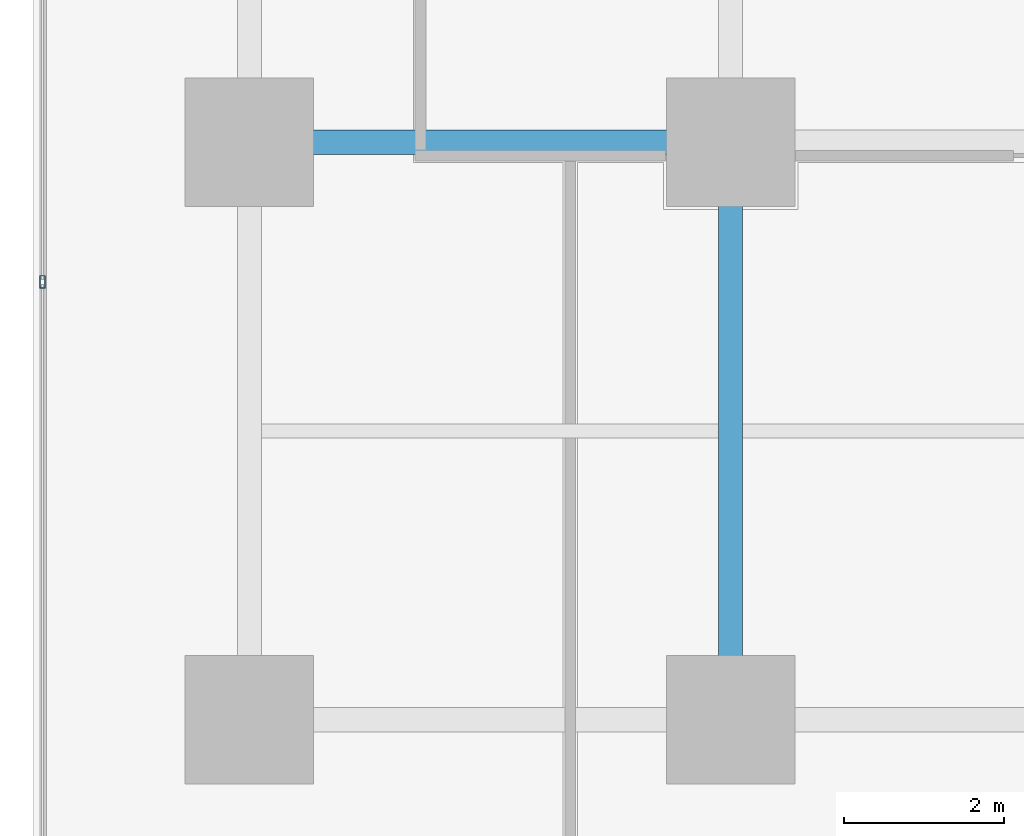
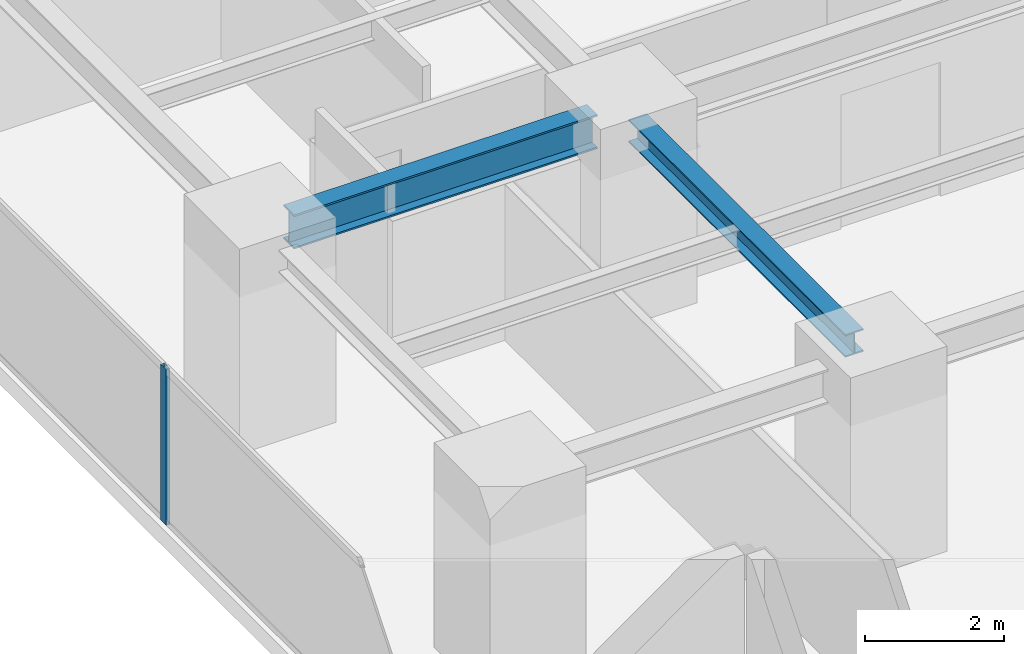
# One storey, part 4 of 36: 2 beams, 1 member, 1 element without a shape of its own.
"""IFC4 building model written with IfcOpenShell, lengths in metres."""

from ifc_helpers import new_model, si_unit, direction, frame, origin, origin_2d, place, context, subcontext, project, spatial, hollow_rectangle, i_section, extrude, source, transform, mapped, material, layer, layer_set, material_profile, profile_set, type_object, element, aggregate, save


model = new_model("IFC4")

# Units and contexts
model_context = context("Model", 3, precision=1e-05, world=origin(), true_north=direction((0.0, 1.0)))
body_context = subcontext(model_context, "Body", "Model", "MODEL_VIEW")
ifc_project = project(units=[si_unit("LENGTHUNIT", "METRE"), si_unit("AREAUNIT", "SQUARE_METRE"), si_unit("VOLUMEUNIT", "CUBIC_METRE"), si_unit("PLANEANGLEUNIT", "RADIAN"), si_unit("MASSUNIT", "GRAM", prefix="KILO")], contexts=[model_context])

# Site, building, storey
site_placement = place(None, origin())
site = spatial("IfcSite", under=ifc_project, at=site_placement, CompositionType="ELEMENT")
building_placement = place(site_placement, origin())
building = spatial("IfcBuilding", under=site, at=building_placement, Name="Sumidabori Civic Tower", CompositionType="ELEMENT")
storey_placement = place(building_placement, frame((0.0, 0.0, 77.60009765625)))
storey = spatial("IfcBuildingStorey", under=building, at=storey_placement, Name="L19", CompositionType="ELEMENT", Elevation=77.60009765625)

# Beams
ifc_material_1 = material(Name="Steel SN490", Category="steel")
ifc_material_profile_1 = material_profile(ifc_material_1, i_section(OverallWidth=0.300048828125, OverallDepth=0.60009765625, WebThickness=0.015380859375, FlangeThickness=0.030029296875, at=origin_2d()), Name="HE 600 B")
ifc_profile_set_1 = profile_set([ifc_material_profile_1], Name="Steel SN490")
beam_type_1 = type_object("IfcBeamType", Name="BM-GIRD-600", PredefinedType="BEAM", material=ifc_profile_set_1)
shared_shape_1 = source(origin(), body_context, "Body", "SweptSolid", [
    extrude(i_section(OverallWidth=0.300048828125, OverallDepth=0.60009765625, WebThickness=0.015380859375, FlangeThickness=0.030029296875, at=origin_2d()), origin(), (0.0, 0.0, 1.0), 5.0400390625),
])
beam_1_placement = place(storey_placement, frame((-22.320068359375, -10.800048828125, 3.059814453125), z_axis=(1.0, 0.0, 0.0), x_axis=(0.0, 1.0, 0.0)))
element("IfcBeam", 1, at=beam_1_placement, inside=storey, type_object=beam_type_1, Name="Primary Girder L19 GX-07", PredefinedType="BEAM", context=body_context, shape_type="MappedRepresentation", body=[
    mapped(shared_shape_1, transform((0.0, 0.0, 0.0), x_axis=(1.0, 0.0, 0.0), y_axis=(0.0, 1.0, 0.0), z_axis=(0.0, 0.0, 1.0), scale=1.0)),
])
ifc_material_profile_2 = material_profile(ifc_material_1, i_section(OverallWidth=0.300048828125, OverallDepth=0.39990234375, WebThickness=0.013427734375, FlangeThickness=0.02392578125, at=origin_2d()), Name="HE 400 B")
ifc_profile_set_2 = profile_set([ifc_material_profile_2], Name="Steel SN490")
beam_type_2 = type_object("IfcBeamType", Name="BM-GIRD-400", PredefinedType="BEAM", material=ifc_profile_set_2)
shared_shape_2 = source(origin(), body_context, "Body", "SweptSolid", [
    extrude(i_section(OverallWidth=0.300048828125, OverallDepth=0.39990234375, WebThickness=0.013427734375, FlangeThickness=0.02392578125, at=origin_2d()), origin(), (0.0, 0.0, 1.0), 6.239990234375),
])
beam_2_placement = place(storey_placement, frame((-16.800048828125, -17.52001953125, 3.159912109375), z_axis=(0.0, 1.0, 0.0), x_axis=(-1.0, 0.0, 0.0)))
element("IfcBeam", 2, at=beam_2_placement, inside=storey, type_object=beam_type_2, Name="Primary Girder L19 GY-25", PredefinedType="BEAM", context=body_context, shape_type="MappedRepresentation", body=[
    mapped(shared_shape_2, transform((0.0, 0.0, 0.0), x_axis=(1.0, 0.0, 0.0), y_axis=(0.0, 1.0, 0.0), z_axis=(0.0, 0.0, 1.0), scale=1.0)),
])

# Curtain wall, member
ifc_material_2 = material(Name="Anodised Bronze Aluminium AW-6063-T6", Category="aluminium")
ifc_layer = layer(ifc_material_2, 0.179931640625, Name="Anodised Bronze Aluminium AW-6063-T6")
ifc_layer_set = layer_set([ifc_layer], Name="Anodised Bronze Aluminium AW-6063-T6")
curtain_wall_type = type_object("IfcCurtainWallType", Name="CW-SYS-3", PredefinedType="NOTDEFINED", material=ifc_layer_set)
curtain_wall_placement = place(storey_placement, origin())
curtain_wall = element("IfcCurtainWall", 3, at=curtain_wall_placement, inside=storey, type_object=curtain_wall_type, Name="Curtain Wall CW:L19:R10", PredefinedType="NOTDEFINED")
ifc_material_profile_3 = material_profile(ifc_material_2, hollow_rectangle(XDim=0.06494140625, YDim=0.159912109375, WallThickness=0.0048828125, at=origin_2d()), Name="ALU MULLION 160x65")
ifc_profile_set_3 = profile_set([ifc_material_profile_3], Name="Anodised Bronze Aluminium AW-6063-T6")
member_type = type_object("IfcMemberType", Name="CW-MUL-160", PredefinedType="MULLION", material=ifc_profile_set_3)
shared_shape_3 = source(origin(), body_context, "Body", "SweptSolid", [
    extrude(hollow_rectangle(XDim=0.06494140625, YDim=0.159912109375, WallThickness=0.0048828125, at=origin_2d()), origin(), (0.0, 0.0, 1.0), 2.739990234375),
])
member_placement = place(storey_placement, frame((-25.3798828125, -12.5419921875, 0.0), z_axis=(0.0, 0.0, 1.0), x_axis=(1.0, 0.0, 0.0)))
member = element("IfcMember", 4, at=member_placement, type_object=member_type, Name="CW-3 mullion 5", PredefinedType="MULLION", context=body_context, shape_type="MappedRepresentation", body=[
    mapped(shared_shape_3, transform((0.0, 0.0, 0.0), x_axis=(1.0, 0.0, 0.0), y_axis=(0.0, 1.0, 0.0), z_axis=(0.0, 0.0, 1.0), scale=1.0)),
])
aggregate(curtain_wall, [member])

save(model, "model.ifc")
